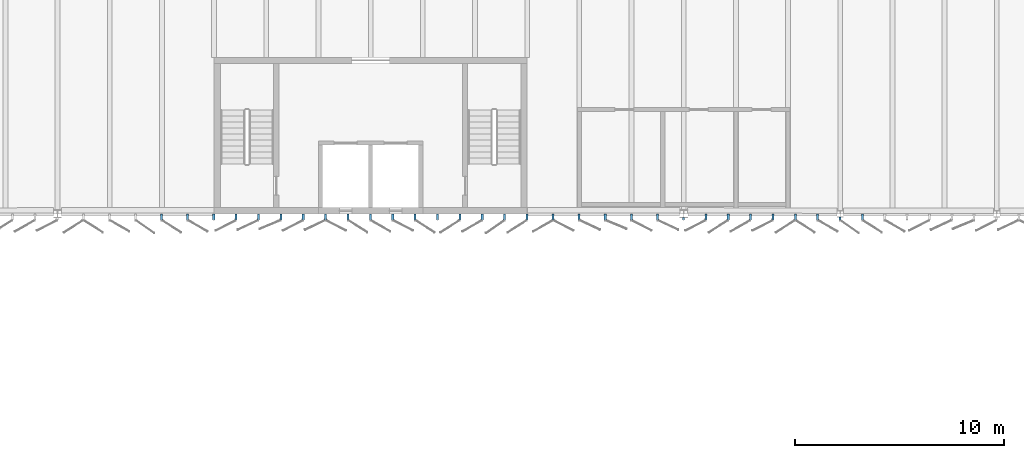
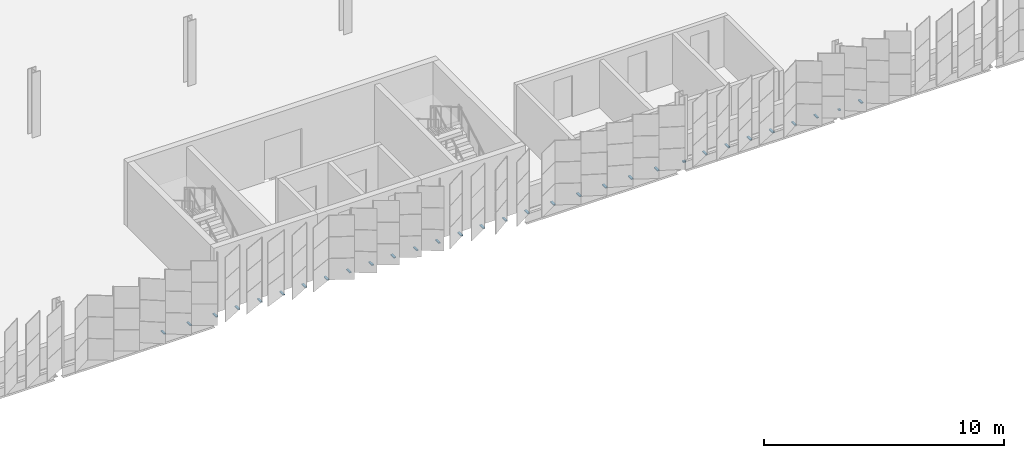
# One storey, part 179 of 214: 31 discrete accessories.
"""IFC4 building model written with IfcOpenShell, lengths in metres."""

from ifc_helpers import new_model, si_unit, direction, frame, origin, origin_2d, place, context, subcontext, project, spatial, rectangle, extrude, material, type_object, element, save


model = new_model("IFC4")

# Units and contexts
model_context = context("Model", 3, precision=1e-05, world=origin(), true_north=direction((0.0, 1.0)))
body_context = subcontext(model_context, "Body", "Model", "MODEL_VIEW")
ifc_project = project(units=[si_unit("LENGTHUNIT", "METRE"), si_unit("AREAUNIT", "SQUARE_METRE"), si_unit("VOLUMEUNIT", "CUBIC_METRE"), si_unit("PLANEANGLEUNIT", "RADIAN"), si_unit("MASSUNIT", "GRAM", prefix="KILO")], contexts=[model_context])

# Site, building, storey
site_placement = place(None, origin())
site = spatial("IfcSite", under=ifc_project, at=site_placement, CompositionType="ELEMENT")
building_placement = place(site_placement, origin())
building = spatial("IfcBuilding", under=site, at=building_placement, Name="Parallax Yard Mobility Hub", CompositionType="ELEMENT")
storey_placement = place(building_placement, frame((0.0, 0.0, 3.300048828125)))
storey = spatial("IfcBuildingStorey", under=building, at=storey_placement, Name="L01", CompositionType="ELEMENT", Elevation=3.300048828125)

# Discrete accessories
ifc_material = material(Name="Steel ASTM A36, hot-dip galvanised", Category="steel")
discrete_accessory_type = type_object("IfcDiscreteAccessoryType", Name="Hinge bracket plate 100x50", PredefinedType="BRACKET", material=ifc_material)
for number, where, z_axis, x_axis, name in (
    (1, (64.984375, 112.3583984375, -0.02490234375), (0.0, 0.0, 1.0), (0.0, -1.0, 0.0), "Hinge bracket plate bay 5.5 level L01"),
    (2, (66.233642578125, 112.3583984375, -0.02490234375), (0.0, 0.0, 1.0), (0.0, -1.0, 0.0), "Hinge bracket plate bay 5.6 level L01"),
    (3, (67.48291015625, 112.3583984375, -0.02490234375), (0.0, 0.0, 1.0), (0.0, -1.0, 0.0), "Hinge bracket plate bay 6.1 level L01"),
    (4, (68.55517578125, 112.3583984375, -0.02490234375), (0.0, 0.0, 1.0), (0.0, -1.0, 0.0), "Hinge bracket plate bay 6.2 level L01"),
    (5, (69.627197265625, 112.3583984375, -0.02490234375), (0.0, 0.0, 1.0), (0.0, -1.0, 0.0), "Hinge bracket plate bay 6.3 level L01"),
    (6, (70.699462890625, 112.3583984375, -0.02490234375), (0.0, 0.0, 1.0), (0.0, -1.0, 0.0), "Hinge bracket plate bay 6.4 level L01"),
    (7, (71.771728515625, 112.3583984375, -0.02490234375), (0.0, 0.0, 1.0), (0.0, -1.0, 0.0), "Hinge bracket plate bay 6.5 level L01"),
    (8, (72.843994140625, 112.3583984375, -0.02490234375), (0.0, 0.0, 1.0), (0.0, -1.0, 0.0), "Hinge bracket plate bay 6.6 level L01"),
    (9, (73.916015625, 112.3583984375, -0.02490234375), (0.0, 0.0, 1.0), (0.0, -1.0, 0.0), "Hinge bracket plate bay 6.7 level L01"),
    (10, (74.98828125, 112.3583984375, -0.02490234375), (0.0, 0.0, 1.0), (0.0, -1.0, 0.0), "Hinge bracket plate bay 6.8 level L01"),
    (11, (76.060546875, 112.3583984375, -0.02490234375), (0.0, 0.0, 1.0), (0.0, -1.0, 0.0), "Hinge bracket plate bay 6.9 level L01"),
    (12, (77.1328125, 112.3583984375, -0.02490234375), (0.0, 0.0, 1.0), (0.0, -1.0, 0.0), "Hinge bracket plate bay 6.10 level L01"),
    (13, (78.205078125, 112.3583984375, -0.02490234375), (0.0, 0.0, 1.0), (0.0, -1.0, 0.0), "Hinge bracket plate bay 6.11 level L01"),
    (14, (79.277099609375, 112.3583984375, -0.02490234375), (0.0, 0.0, 1.0), (0.0, -1.0, 0.0), "Hinge bracket plate bay 6.12 level L01"),
    (15, (80.349365234375, 112.3583984375, -0.02490234375), (0.0, 0.0, 1.0), (0.0, -1.0, 0.0), "Hinge bracket plate bay 6.13 level L01"),
    (16, (81.421630859375, 112.3583984375, -0.02490234375), (0.0, 0.0, 1.0), (0.0, -1.0, 0.0), "Hinge bracket plate bay 6.14 level L01"),
    (17, (82.493896484375, 112.3583984375, -0.02490234375), (0.0, 0.0, 1.0), (0.0, -1.0, 0.0), "Hinge bracket plate bay 7.1 level L01"),
    (18, (83.7431640625, 112.3583984375, -0.02490234375), (0.0, 0.0, 1.0), (0.0, -1.0, 0.0), "Hinge bracket plate bay 7.2 level L01"),
    (19, (84.992431640625, 112.3583984375, -0.02490234375), (0.0, 0.0, 1.0), (0.0, -1.0, 0.0), "Hinge bracket plate bay 7.3 level L01"),
    (20, (86.24169921875, 112.3583984375, -0.02490234375), (0.0, 0.0, 1.0), (0.0, -1.0, 0.0), "Hinge bracket plate bay 7.4 level L01"),
    (21, (87.490966796875, 112.3583984375, -0.02490234375), (0.0, 0.0, 1.0), (0.0, -1.0, 0.0), "Hinge bracket plate bay 7.5 level L01"),
    (22, (88.739990234375, 112.3583984375, -0.02490234375), (0.0, 0.0, 1.0), (0.0, -1.0, 0.0), "Hinge bracket plate bay 7.6 level L01"),
):
    element("IfcDiscreteAccessory", number, at=place(storey_placement, frame(where, z_axis=z_axis, x_axis=x_axis)), inside=storey, type_object=discrete_accessory_type, Name=name, PredefinedType="BRACKET", context=body_context, shape_type="SweptSolid", body=[
        extrude(rectangle(XDim=0.2841796875, YDim=0.10009765625, at=origin_2d()), origin(), (0.0, 0.0, 1.0), 0.050048828125),
    ])
discrete_accessory_1_placement = place(storey_placement, frame((89.989501953125, 112.26513671875, -0.02490234375), z_axis=(0.0, 0.0, 1.0), x_axis=(0.0, -1.0, 0.0)))
element("IfcDiscreteAccessory", 23, at=discrete_accessory_1_placement, inside=storey, type_object=discrete_accessory_type, Name="Hinge bracket plate bay 8.1 level L01", PredefinedType="BRACKET", context=body_context, shape_type="SweptSolid", body=[
    extrude(rectangle(XDim=0.09765625, YDim=0.10009765625, at=origin_2d()), origin(), (0.0, 0.0, 1.0), 0.050048828125),
])
for number, where, z_axis, x_axis, name in (
    (24, (91.060791015625, 112.3583984375, -0.02490234375), (0.0, 0.0, 1.0), (0.0, -1.0, 0.0), "Hinge bracket plate bay 8.2 level L01"),
    (25, (92.13232421875, 112.3583984375, -0.02490234375), (0.0, 0.0, 1.0), (0.0, -1.0, 0.0), "Hinge bracket plate bay 8.3 level L01"),
    (26, (93.203857421875, 112.3583984375, -0.02490234375), (0.0, 0.0, 1.0), (0.0, -1.0, 0.0), "Hinge bracket plate bay 8.4 level L01"),
    (27, (94.275390625, 112.3583984375, -0.02490234375), (0.0, 0.0, 1.0), (0.0, -1.0, 0.0), "Hinge bracket plate bay 8.5 level L01"),
    (28, (95.346923828125, 112.3583984375, -0.02490234375), (0.0, 0.0, 1.0), (0.0, -1.0, 0.0), "Hinge bracket plate bay 8.6 level L01"),
    (29, (96.41845703125, 112.3583984375, -0.02490234375), (0.0, 0.0, 1.0), (0.0, -1.0, 0.0), "Hinge bracket plate bay 8.7 level L01"),
):
    element("IfcDiscreteAccessory", number, at=place(storey_placement, frame(where, z_axis=z_axis, x_axis=x_axis)), inside=storey, type_object=discrete_accessory_type, Name=name, PredefinedType="BRACKET", context=body_context, shape_type="SweptSolid", body=[
        extrude(rectangle(XDim=0.2841796875, YDim=0.10009765625, at=origin_2d()), origin(), (0.0, 0.0, 1.0), 0.050048828125),
    ])
discrete_accessory_2_placement = place(storey_placement, frame((97.489990234375, 112.280517578125, -0.02490234375), z_axis=(0.0, 0.0, 1.0), x_axis=(0.0, -1.0, 0.0)))
element("IfcDiscreteAccessory", 30, at=discrete_accessory_2_placement, inside=storey, type_object=discrete_accessory_type, Name="Hinge bracket plate bay 9.1 level L01", PredefinedType="BRACKET", context=body_context, shape_type="SweptSolid", body=[
    extrude(rectangle(XDim=0.128173828125, YDim=0.10009765625, at=origin_2d()), origin(), (0.0, 0.0, 1.0), 0.050048828125),
])
discrete_accessory_3_placement = place(storey_placement, frame((98.561279296875, 112.3583984375, -0.02490234375), z_axis=(0.0, 0.0, 1.0), x_axis=(0.0, -1.0, 0.0)))
element("IfcDiscreteAccessory", 31, at=discrete_accessory_3_placement, inside=storey, type_object=discrete_accessory_type, Name="Hinge bracket plate bay 9.2 level L01", PredefinedType="BRACKET", context=body_context, shape_type="SweptSolid", body=[
    extrude(rectangle(XDim=0.2841796875, YDim=0.10009765625, at=origin_2d()), origin(), (0.0, 0.0, 1.0), 0.050048828125),
])

save(model, "model.ifc")
